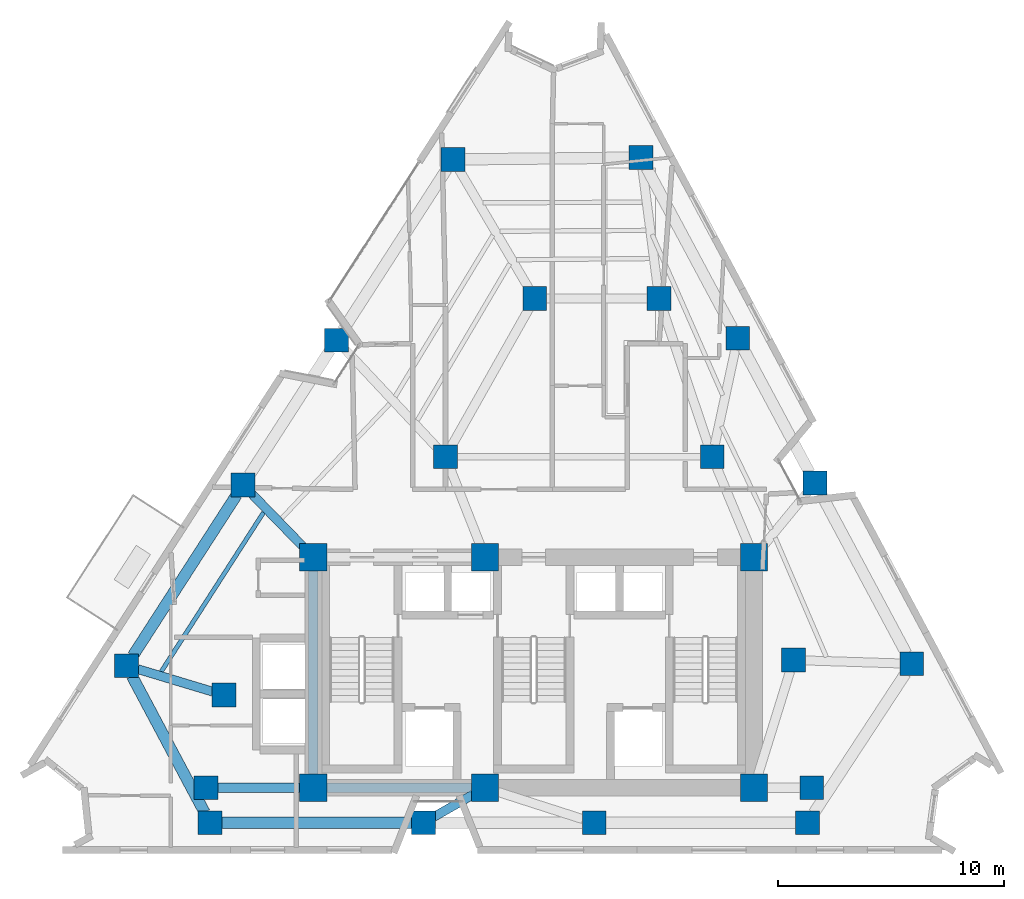
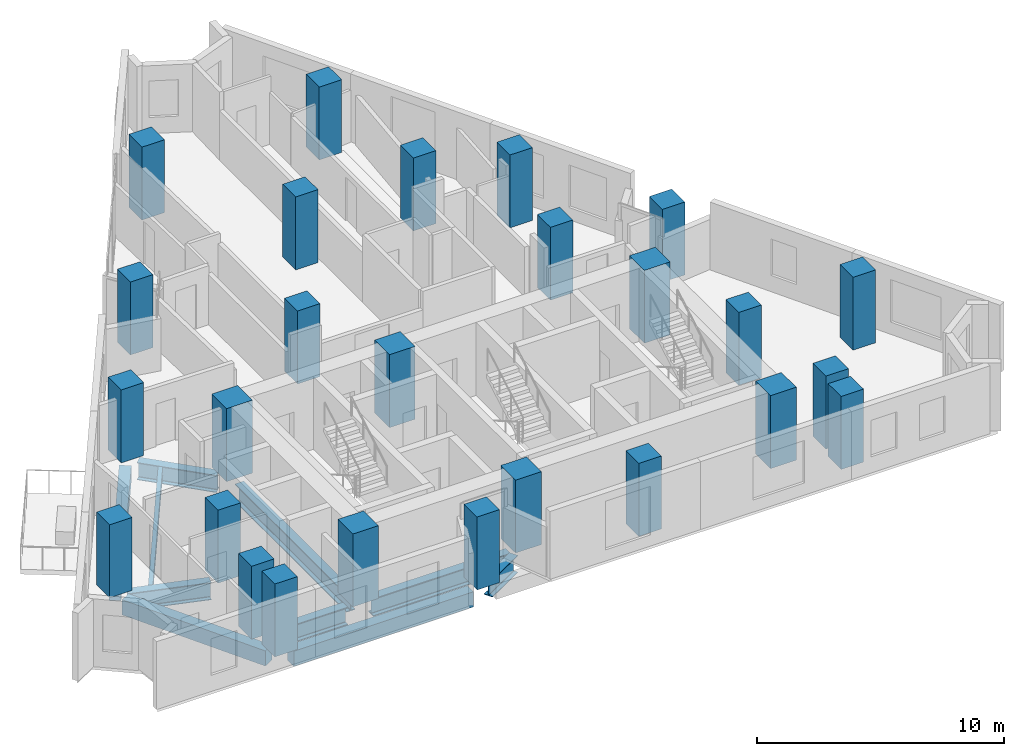
# One storey, part 1 of 11: 26 columns, 10 beams.
"""IFC4 building model written with IfcOpenShell, lengths in metres."""

from ifc_helpers import new_model, si_unit, direction, frame, origin, origin_2d, place, context, subcontext, project, spatial, rectangle, i_section, extrude, material, material_profile, profile_set, type_object, element, save


model = new_model("IFC4")

# Units and contexts
model_context = context("Model", 3, precision=1e-05, world=origin(), true_north=direction((0.0, 1.0)))
body_context = subcontext(model_context, "Body", "Model", "MODEL_VIEW")
ifc_project = project(units=[si_unit("LENGTHUNIT", "METRE"), si_unit("AREAUNIT", "SQUARE_METRE"), si_unit("VOLUMEUNIT", "CUBIC_METRE"), si_unit("PLANEANGLEUNIT", "RADIAN"), si_unit("MASSUNIT", "GRAM", prefix="KILO")], contexts=[model_context])

# Site, building, storey
site_placement = place(None, origin())
site = spatial("IfcSite", under=ifc_project, at=site_placement, CompositionType="ELEMENT")
building_placement = place(site_placement, origin())
building = spatial("IfcBuilding", under=site, at=building_placement, Name="Almagre Mirador Tower", CompositionType="ELEMENT")
storey_placement = place(building_placement, frame((0.0, 0.0, 178.800048828125)))
storey = spatial("IfcBuildingStorey", under=building, at=storey_placement, Name="L46", CompositionType="ELEMENT", Elevation=178.800048828125)

# Columns
ifc_material_1 = material(Name="Concrete C60/75", Category="concrete")
ifc_material_profile_1 = material_profile(ifc_material_1, rectangle(XDim=1.050048828125, YDim=1.050048828125, at=origin_2d()), Name="RC1050X1050")
ifc_profile_set_1 = profile_set([ifc_material_profile_1], Name="Concrete C60/75")
column_type_1 = type_object("IfcColumnType", Name="COL-RC1050", PredefinedType="COLUMN", material=ifc_profile_set_1)
for number, where, z_axis, x_axis, name in (
    (1, (22.800048828125, 4.550048828125, 0.0), (0.0, 0.0, 1.0), (1.0, 0.0, 0.0), "L46 interior transfer column MC1"),
    (2, (49.60009765625, 4.550048828125, 0.0), (0.0, 0.0, 1.0), (1.0, 0.0, 0.0), "L46 interior transfer column MC2"),
    (3, (48.800048828125, 10.199951171875, 0.0), (0.0, 0.0, 1.0), (1.0, 0.0, 0.0), "L46 interior transfer column MC3"),
    (4, (45.199951171875, 19.199951171875, 0.0), (0.0, 0.0, 1.0), (1.0, 0.0, 0.0), "L46 interior transfer column MC5"),
    (5, (42.85009765625, 26.199951171875, 0.0), (0.0, 0.0, 1.0), (1.0, 0.0, 0.0), "L46 interior transfer column MC6"),
    (6, (37.35009765625, 26.199951171875, 0.0), (0.0, 0.0, 1.0), (1.0, 0.0, 0.0), "L46 interior transfer column MC7"),
    (7, (33.39990234375, 19.199951171875, 0.0), (0.0, 0.0, 1.0), (1.0, 0.0, 0.0), "L46 interior transfer column MC8"),
    (8, (23.60009765625, 8.64990234375, 0.0), (0.0, 0.0, 1.0), (1.0, 0.0, 0.0), "L46 interior transfer column MC10"),
    (9, (22.98388671875, 3.0, 0.0), (0.0, 0.0, 1.0), (1.0, 0.0, 0.0), "L46 perimeter column PC01"),
    (10, (32.424072265625, 3.0, 0.0), (0.0, 0.0, 1.0), (1.0, 0.0, 0.0), "L46 perimeter column PC02"),
    (11, (39.97607421875, 3.0, 0.0), (0.0, 0.0, 1.0), (1.0, 0.0, 0.0), "L46 perimeter column PC03"),
    (12, (49.416015625, 3.0, 0.0), (0.0, 0.0, 1.0), (1.0, 0.0, 0.0), "L46 perimeter column PC04"),
    (13, (54.033935546875, 10.033935546875, 0.0), (0.0, 0.0, 1.0), (1.0, 0.0, 0.0), "L46 perimeter column PC05"),
    (14, (49.75390625, 18.033935546875, 0.0), (0.0, 0.0, 1.0), (1.0, 0.0, 0.0), "L46 perimeter column PC06"),
    (15, (46.330078125, 24.43408203125, 0.0), (0.0, 0.0, 1.0), (1.0, 0.0, 0.0), "L46 perimeter column PC07"),
    (16, (42.050048828125, 32.43408203125, 0.0), (0.0, 0.0, 1.0), (1.0, 0.0, 0.0), "L46 perimeter column PC08"),
    (17, (33.73193359375, 32.35009765625, 0.0), (0.0, 0.0, 1.0), (1.0, 0.0, 0.0), "L46 perimeter column PC09"),
    (18, (28.572021484375, 24.35009765625, 0.0), (0.0, 0.0, 1.0), (1.0, 0.0, 0.0), "L46 perimeter column PC10"),
    (19, (24.444091796875, 17.949951171875, 0.0), (0.0, 0.0, 1.0), (1.0, 0.0, 0.0), "L46 perimeter column PC11"),
    (20, (19.283935546875, 9.949951171875, 0.0), (0.0, 0.0, 1.0), (1.0, 0.0, 0.0), "L46 perimeter column PC12"),
):
    element("IfcColumn", number, at=place(storey_placement, frame(where, z_axis=z_axis, x_axis=x_axis)), inside=storey, type_object=column_type_1, Name=name, PredefinedType="COLUMN", context=body_context, shape_type="SweptSolid", body=[
        extrude(rectangle(XDim=1.050048828125, YDim=1.050048828125, at=origin_2d()), origin(), (0.0, 0.0, 1.0), 3.599853515625),
    ])
ifc_material_2 = material(Name="Concrete C60/75", Category="concrete")
ifc_material_profile_2 = material_profile(ifc_material_2, rectangle(XDim=1.199951171875, YDim=1.199951171875, at=origin_2d()), Name="RC1200X1200")
ifc_profile_set_2 = profile_set([ifc_material_profile_2], Name="Concrete C60/75")
column_type_2 = type_object("IfcColumnType", Name="COL-RC1200", PredefinedType="COLUMN", material=ifc_profile_set_2)
for number, where, z_axis, x_axis, name in (
    (21, (27.550048828125, 4.550048828125, 0.0), (0.0, 0.0, 1.0), (1.0, 0.0, 0.0), "L46 core spine column CC1"),
    (22, (35.14990234375, 4.550048828125, 0.0), (0.0, 0.0, 1.0), (1.0, 0.0, 0.0), "L46 core spine column CC2"),
    (23, (47.050048828125, 4.550048828125, 0.0), (0.0, 0.0, 1.0), (1.0, 0.0, 0.0), "L46 core spine column CC3"),
    (24, (27.550048828125, 14.75, 0.0), (0.0, 0.0, 1.0), (1.0, 0.0, 0.0), "L46 core spine column CC4"),
    (25, (35.14990234375, 14.75, 0.0), (0.0, 0.0, 1.0), (1.0, 0.0, 0.0), "L46 core spine column CC5"),
    (26, (47.050048828125, 14.75, 0.0), (0.0, 0.0, 1.0), (1.0, 0.0, 0.0), "L46 core spine column CC6"),
):
    element("IfcColumn", number, at=place(storey_placement, frame(where, z_axis=z_axis, x_axis=x_axis)), inside=storey, type_object=column_type_2, Name=name, PredefinedType="COLUMN", context=body_context, shape_type="SweptSolid", body=[
        extrude(rectangle(XDim=1.199951171875, YDim=1.199951171875, at=origin_2d()), origin(), (0.0, 0.0, 1.0), 3.599853515625),
    ])

# Beams
ifc_material_3 = material(Name="Steel ASTM A992 Grade 50", Category="steel")
ifc_material_profile_3 = material_profile(ifc_material_3, i_section(OverallWidth=0.19091796875, OverallDepth=0.4599609375, WebThickness=0.010009765625, FlangeThickness=0.01611328125, FilletRadius=0.01611328125, at=origin_2d()), Name="W18X55")
ifc_profile_set_3 = profile_set([ifc_material_profile_3], Name="Steel ASTM A992 Grade 50")
beam_type_1 = type_object("IfcBeamType", Name="BM-JST-W18X55", PredefinedType="JOIST", material=ifc_profile_set_3)
beam_1_placement = place(storey_placement, frame((25.35205078125, 16.735595703125, -0.47998046875), z_axis=(-0.540710465043, -0.841208768971, 0.0), x_axis=(0.841208768971, -0.540710465043, 0.0)))
element("IfcBeam", 27, at=beam_1_placement, inside=storey, type_object=beam_type_1, Name="L46 secondary floor joist PC11-PC12.1", PredefinedType="JOIST", context=body_context, shape_type="SweptSolid", body=[
    extrude(i_section(OverallWidth=0.19091796875, OverallDepth=0.4599609375, WebThickness=0.010009765625, FlangeThickness=0.01611328125, FilletRadius=0.01611328125, at=origin_2d()), origin(), (0.0, 0.0, 1.0), 8.37890625),
])
ifc_material_4 = material(Name="Precast concrete C50/60", Category="concrete")
ifc_material_profile_4 = material_profile(ifc_material_4, rectangle(XDim=0.5, YDim=0.75, at=origin_2d()), Name="RC500X750")
ifc_profile_set_4 = profile_set([ifc_material_profile_4], Name="Precast concrete C50/60")
beam_type_2 = type_object("IfcBeamType", Name="BM-SPN-RC500X750", PredefinedType="SPANDREL", material=ifc_profile_set_4)
beam_2_placement = place(storey_placement, frame((23.509033203125, 3.0, -0.625), z_axis=(1.0, 0.0, 0.0), x_axis=(0.0, 1.0, 0.0)))
element("IfcBeam", 28, at=beam_2_placement, inside=storey, type_object=beam_type_2, Name="L46 perimeter spandrel beam PC01-PC02", PredefinedType="SPANDREL", context=body_context, shape_type="SweptSolid", body=[
    extrude(rectangle(XDim=0.5, YDim=0.75, at=origin_2d()), origin(), (0.0, 0.0, 1.0), 8.389892578125),
])
beam_3_placement = place(storey_placement, frame((24.159423828125, 17.5087890625, -0.625), z_axis=(-0.542024442959, -0.840362721231, 0.0), x_axis=(0.840362721231, -0.542024442959, 0.0)))
element("IfcBeam", 29, at=beam_3_placement, inside=storey, type_object=beam_type_2, Name="L46 perimeter spandrel beam PC11-PC12", PredefinedType="SPANDREL", context=body_context, shape_type="SweptSolid", body=[
    extrude(rectangle(XDim=0.5, YDim=0.75, at=origin_2d()), origin(), (0.0, 0.0, 1.0), 8.4697265625),
])
beam_4_placement = place(storey_placement, frame((19.53076171875, 9.486572265625, -0.625), z_axis=(0.469923278173, -0.882707263271, 0.0), x_axis=(0.882707263271, 0.469923278173, 0.0)))
element("IfcBeam", 30, at=beam_4_placement, inside=storey, type_object=beam_type_2, Name="L46 perimeter spandrel beam PC12-PC01", PredefinedType="SPANDREL", context=body_context, shape_type="SweptSolid", body=[
    extrude(rectangle(XDim=0.5, YDim=0.75, at=origin_2d()), origin(), (0.0, 0.0, 1.0), 6.823486328125),
])
ifc_material_5 = material(Name="Steel ASTM A992 Grade 50", Category="steel")
ifc_material_profile_5 = material_profile(ifc_material_5, i_section(OverallWidth=0.39892578125, OverallDepth=0.85595703125, WebThickness=0.018310546875, FlangeThickness=0.029296875, FilletRadius=0.02490234375, at=origin_2d()), Name="W33X201")
ifc_profile_set_5 = profile_set([ifc_material_profile_5], Name="Steel ASTM A992 Grade 50")
beam_type_3 = type_object("IfcBeamType", Name="BM-STL-W33X201", PredefinedType="BEAM", material=ifc_profile_set_5)
beam_5_placement = place(storey_placement, frame((32.88037109375, 3.259521484375, -0.677978515625), z_axis=(0.869309554044, 0.494268043927, 0.0), x_axis=(-0.494268043927, 0.869309554044, 0.0)))
element("IfcBeam", 31, at=beam_5_placement, inside=storey, type_object=beam_type_3, Name="L46 radial floor girder PC02-CC2", PredefinedType="BEAM", context=body_context, shape_type="SweptSolid", body=[
    extrude(i_section(OverallWidth=0.39892578125, OverallDepth=0.85595703125, WebThickness=0.018310546875, FlangeThickness=0.029296875, FilletRadius=0.02490234375, at=origin_2d()), origin(), (0.0, 0.0, 1.0), 2.0107421875),
])
beam_6_placement = place(storey_placement, frame((24.809814453125, 17.5732421875, -0.677978515625), z_axis=(0.69644765499, -0.717607597409, 0.0), x_axis=(0.717607597409, 0.69644765499, 0.0)))
element("IfcBeam", 32, at=beam_6_placement, inside=storey, type_object=beam_type_3, Name="L46 radial floor girder PC11-CC4", PredefinedType="BEAM", context=body_context, shape_type="SweptSolid", body=[
    extrude(i_section(OverallWidth=0.39892578125, OverallDepth=0.85595703125, WebThickness=0.018310546875, FlangeThickness=0.029296875, FilletRadius=0.02490234375, at=origin_2d()), origin(), (0.0, 0.0, 1.0), 3.33447265625),
])
beam_7_placement = place(storey_placement, frame((19.78662109375, 9.798583984375, -0.677978515625), z_axis=(0.957520639222, -0.288364743794, 0.0), x_axis=(0.288364743794, 0.957520639222, 0.0)))
element("IfcBeam", 33, at=beam_7_placement, inside=storey, type_object=beam_type_3, Name="L46 radial floor girder PC12-MC10", PredefinedType="BEAM", context=body_context, shape_type="SweptSolid", body=[
    extrude(i_section(OverallWidth=0.39892578125, OverallDepth=0.85595703125, WebThickness=0.018310546875, FlangeThickness=0.029296875, FilletRadius=0.02490234375, at=origin_2d()), origin(), (0.0, 0.0, 1.0), 3.457763671875),
])
ifc_material_6 = material(Name="Steel ASTM A992 Grade 50", Category="steel")
ifc_material_profile_6 = material_profile(ifc_material_6, i_section(OverallWidth=0.404052734375, OverallDepth=0.884033203125, WebThickness=0.0244140625, FlangeThickness=0.0439453125, FilletRadius=0.02490234375, at=origin_2d()), Name="W33X291")
ifc_profile_set_6 = profile_set([ifc_material_profile_6], Name="Steel ASTM A992 Grade 50")
beam_type_4 = type_object("IfcBeamType", Name="BM-STL-W33X291", PredefinedType="BEAM", material=ifc_profile_set_6)
beam_8_placement = place(storey_placement, frame((28.14990234375, 4.550048828125, -0.692138671875), z_axis=(1.0, 0.0, 0.0), x_axis=(0.0, 1.0, 0.0)))
element("IfcBeam", 34, at=beam_8_placement, inside=storey, type_object=beam_type_4, Name="L46 core tie girder CC1-CC2", PredefinedType="BEAM", context=body_context, shape_type="SweptSolid", body=[
    extrude(i_section(OverallWidth=0.404052734375, OverallDepth=0.884033203125, WebThickness=0.0244140625, FlangeThickness=0.0439453125, FilletRadius=0.02490234375, at=origin_2d()), origin(), (0.0, 0.0, 1.0), 6.400146484375),
])
beam_9_placement = place(storey_placement, frame((27.550048828125, 5.14990234375, -0.692138671875), z_axis=(0.0, 1.0, 0.0), x_axis=(-1.0, 0.0, 0.0)))
element("IfcBeam", 35, at=beam_9_placement, inside=storey, type_object=beam_type_4, Name="L46 core tie girder CC1-CC4", PredefinedType="BEAM", context=body_context, shape_type="SweptSolid", body=[
    extrude(i_section(OverallWidth=0.404052734375, OverallDepth=0.884033203125, WebThickness=0.0244140625, FlangeThickness=0.0439453125, FilletRadius=0.02490234375, at=origin_2d()), origin(), (0.0, 0.0, 1.0), 9.0),
])
beam_10_placement = place(storey_placement, frame((23.324951171875, 4.550048828125, -0.692138671875), z_axis=(1.0, 0.0, 0.0), x_axis=(0.0, 1.0, 0.0)))
element("IfcBeam", 36, at=beam_10_placement, inside=storey, type_object=beam_type_4, Name="L46 core tie girder MC1-CC1", PredefinedType="BEAM", context=body_context, shape_type="SweptSolid", body=[
    extrude(i_section(OverallWidth=0.404052734375, OverallDepth=0.884033203125, WebThickness=0.0244140625, FlangeThickness=0.0439453125, FilletRadius=0.02490234375, at=origin_2d()), origin(), (0.0, 0.0, 1.0), 3.625),
])

save(model, "model.ifc")
